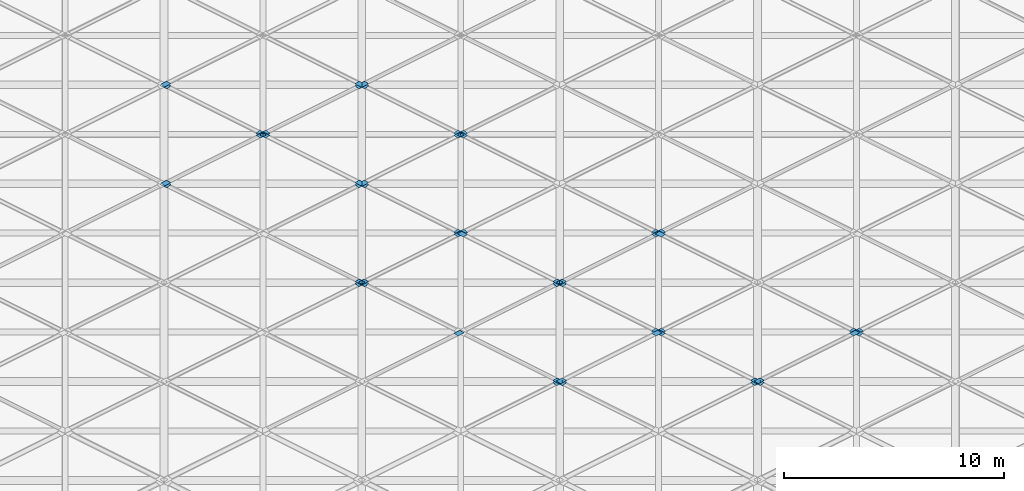
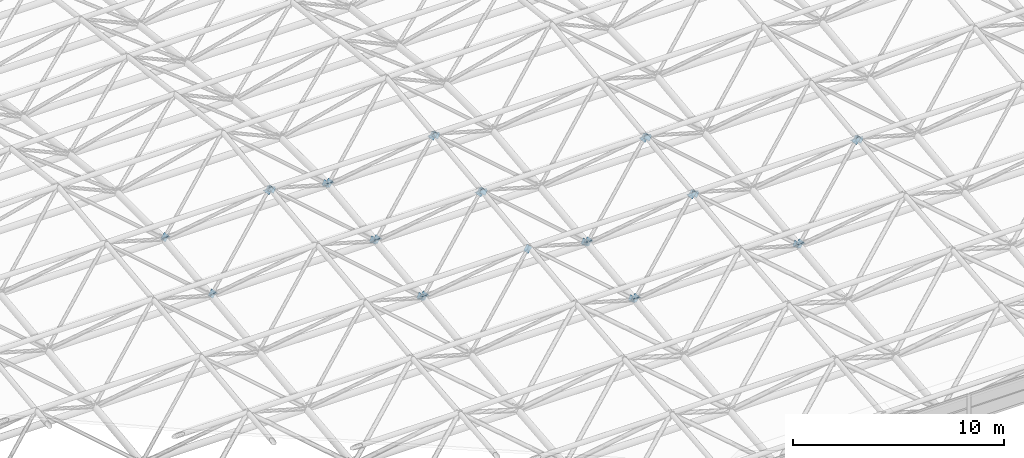
# One storey, part 33 of 53: 53 discrete accessories.
"""IFC4 building model written with IfcOpenShell, lengths in metres."""

from ifc_helpers import new_model, si_unit, direction, frame, origin, place, context, subcontext, project, spatial, polyline, outline, extrude, material, layer, layer_set, type_object, element, save


model = new_model("IFC4")

# Units and contexts
model_context = context("Model", 3, precision=1e-05, world=origin(), true_north=direction((0.0, 1.0)))
body_context = subcontext(model_context, "Body", "Model", "MODEL_VIEW")
ifc_project = project(units=[si_unit("LENGTHUNIT", "METRE"), si_unit("AREAUNIT", "SQUARE_METRE"), si_unit("VOLUMEUNIT", "CUBIC_METRE"), si_unit("PLANEANGLEUNIT", "RADIAN"), si_unit("MASSUNIT", "GRAM", prefix="KILO")], contexts=[model_context])

# Site, building, storey
site_placement = place(None, origin())
site = spatial("IfcSite", under=ifc_project, at=site_placement, CompositionType="ELEMENT")
building_placement = place(site_placement, origin())
building = spatial("IfcBuilding", under=site, at=building_placement, Name="Aravalli Gate Trade Fair Centre", CompositionType="ELEMENT")
storey_placement = place(building_placement, frame((0.0, 0.0, 25.199951171875)))
storey = spatial("IfcBuildingStorey", under=building, at=storey_placement, Name="ROOF LEVEL 2", CompositionType="ELEMENT", Elevation=25.199951171875)

# Discrete accessories
ifc_material = material(Name="Steel E350", Category="steel")
ifc_layer = layer(ifc_material, 0.011962890625)
ifc_layer_set = layer_set([ifc_layer], Name="Steel E350")
discrete_accessory_type = type_object("IfcDiscreteAccessoryType", Name="Gusset plate 291 x 291 x 12", PredefinedType="USERDEFINED", material=ifc_layer_set)
for number, where, z_axis, x_axis, name in (
    (1, (55.181884765625, 61.713134765625, 0.479248046875), (0.000260921892, 0.770886805608, 0.636972106814), (0.786233024012, 0.393446097564, -0.476484837392), "Gusset plate Space frame web diagonal D2A end B"),
    (2, (64.181884765625, 61.713134765625, 0.479248046875), (0.000260921892, 0.770886805608, 0.636972106814), (0.786233024012, 0.393446097564, -0.476484837392), "Gusset plate Space frame web diagonal D2A end B"),
):
    element("IfcDiscreteAccessory", number, at=place(storey_placement, frame(where, z_axis=z_axis, x_axis=x_axis)), inside=storey, type_object=discrete_accessory_type, Name=name, ObjectType="GUSSET PLATE", PredefinedType="USERDEFINED", context=body_context, shape_type="SweptSolid", body=[
        extrude(outline(polyline([(0.0, 0.0), (0.3704496717105797, -1.3877787807814457e-17), (0.37041105616888137, -0.29044341854454775), (-0.00023056696357631745, -0.2902925567125407), (0.0, 0.0)])), origin(), (0.0, 0.0, -1.0), 0.011962890625),
    ])
for number, where, z_axis, x_axis, name in (
    (3, (46.181884765625, 66.213134765625, 1.029052734375), (-6.9765199e-05, 0.771154883137, 0.636647580178), (0.786233023991, 0.393446013556, -0.476484906794), "Gusset plate Space frame web diagonal D2A end B"),
    (4, (55.181884765625, 66.213134765625, 1.029052734375), (-6.9765199e-05, 0.771154883137, 0.636647580178), (0.786233023991, 0.393446013556, -0.476484906794), "Gusset plate Space frame web diagonal D2A end B"),
):
    element("IfcDiscreteAccessory", number, at=place(storey_placement, frame(where, z_axis=z_axis, x_axis=x_axis)), inside=storey, type_object=discrete_accessory_type, Name=name, ObjectType="GUSSET PLATE", PredefinedType="USERDEFINED", context=body_context, shape_type="SweptSolid", body=[
        extrude(outline(polyline([(0.0, 0.0), (0.37044967171058096, -2.7755575615628914e-17), (0.3702947268495056, -0.290591407927876), (-0.0003468962829482891, -0.29044054608337494), (0.0, 0.0)])), origin(), (0.0, 0.0, -1.0), 0.011962890625),
    ])
for number, where, z_axis, x_axis, name in (
    (5, (60.138916015625, 64.191650390625, 3.477294921875), (-6.9765199e-05, 0.771154883137, 0.636647580178), (-0.786484474244, -0.393242254842, 0.476238071536), "Gusset plate Space frame web diagonal D2A end A"),
    (6, (69.138916015625, 64.191650390625, 3.477294921875), (-6.9765199e-05, 0.771154883137, 0.636647580178), (-0.786484474244, -0.393242254842, 0.476238071536), "Gusset plate Space frame web diagonal D2A end A"),
):
    element("IfcDiscreteAccessory", number, at=place(storey_placement, frame(where, z_axis=z_axis, x_axis=x_axis)), inside=storey, type_object=discrete_accessory_type, Name=name, ObjectType="GUSSET PLATE", PredefinedType="USERDEFINED", context=body_context, shape_type="SweptSolid", body=[
        extrude(outline(polyline([(0.0, 0.0), (0.37064165383501635, -1.3877787807814457e-17), (0.3706783195979393, 0.29059144692340316), (0.00022867857401766278, 0.2904406632211646), (0.0, 0.0)])), origin(), (0.0, 0.0, -1.0), 0.011962890625),
    ])
for number, where, z_axis, x_axis, name in (
    (7, (55.638916015625, 61.567626953125, 0.6552734375), (-0.000260921892, 0.770886805608, 0.636972106814), (-0.786484474223, 0.393242170877, -0.476238140902), "Gusset plate Space frame web diagonal D2B end B"),
    (8, (64.638916015625, 61.567626953125, 0.6552734375), (-0.000260921892, 0.770886805608, 0.636972106814), (-0.786484474223, 0.393242170877, -0.476238140902), "Gusset plate Space frame web diagonal D2B end B"),
):
    element("IfcDiscreteAccessory", number, at=place(storey_placement, frame(where, z_axis=z_axis, x_axis=x_axis)), inside=storey, type_object=discrete_accessory_type, Name=name, ObjectType="GUSSET PLATE", PredefinedType="USERDEFINED", context=body_context, shape_type="SweptSolid", body=[
        extrude(outline(polyline([(0.0, 0.0), (0.37064165383501513, 1.3877787807814457e-17), (0.37056205053393565, -0.29044341020294784), (0.00011240951001027788, -0.2902926265131968), (0.0, 0.0)])), origin(), (0.0, 0.0, -1.0), 0.011962890625),
    ])
discrete_accessory_1_placement = place(storey_placement, frame((46.638916015625, 66.067626953125, 1.205322265625), z_axis=(6.9765199e-05, 0.771154883137, 0.636647580178), x_axis=(-0.786484474244, 0.393242254842, -0.476238071536)))
element("IfcDiscreteAccessory", 9, at=discrete_accessory_1_placement, inside=storey, type_object=discrete_accessory_type, Name="Gusset plate Space frame web diagonal D2B end B", ObjectType="GUSSET PLATE", PredefinedType="USERDEFINED", context=body_context, shape_type="SweptSolid", body=[
    extrude(outline(polyline([(0.0, 0.0), (0.37064165383501635, 1.3877787807814457e-17), (0.3706783195979393, -0.29059144692340316), (0.00022867857401766278, -0.2904406632211646), (0.0, 0.0)])), origin(), (0.0, 0.0, -1.0), 0.011962890625),
])
discrete_accessory_2_placement = place(storey_placement, frame((59.681884765625, 64.046142578125, 3.653564453125), z_axis=(6.9765199e-05, 0.771154883137, 0.636647580178), x_axis=(0.786233023991, -0.393446013556, 0.476484906794)))
element("IfcDiscreteAccessory", 10, at=discrete_accessory_2_placement, inside=storey, type_object=discrete_accessory_type, Name="Gusset plate Space frame web diagonal D2B end A", ObjectType="GUSSET PLATE", PredefinedType="USERDEFINED", context=body_context, shape_type="SweptSolid", body=[
    extrude(outline(polyline([(0.0, 0.0), (0.37044967171058096, 2.7755575615628914e-17), (0.3702947268495056, 0.290591407927876), (-0.0003468962829482891, 0.29044054608337494), (0.0, 0.0)])), origin(), (0.0, 0.0, -1.0), 0.011962890625),
])
discrete_accessory_3_placement = place(storey_placement, frame((55.638916015625, 66.067626953125, 1.205322265625), z_axis=(6.9765199e-05, 0.771154883137, 0.636647580178), x_axis=(-0.786484474244, 0.393242254842, -0.476238071536)))
element("IfcDiscreteAccessory", 11, at=discrete_accessory_3_placement, inside=storey, type_object=discrete_accessory_type, Name="Gusset plate Space frame web diagonal D2B end B", ObjectType="GUSSET PLATE", PredefinedType="USERDEFINED", context=body_context, shape_type="SweptSolid", body=[
    extrude(outline(polyline([(0.0, 0.0), (0.37064165383501635, 1.3877787807814457e-17), (0.3706783195979393, -0.29059144692340316), (0.00022867857401766278, -0.2904406632211646), (0.0, 0.0)])), origin(), (0.0, 0.0, -1.0), 0.011962890625),
])
discrete_accessory_4_placement = place(storey_placement, frame((68.681884765625, 64.046142578125, 3.653564453125), z_axis=(6.9765199e-05, 0.771154883137, 0.636647580178), x_axis=(0.786233023991, -0.393446013556, 0.476484906794)))
element("IfcDiscreteAccessory", 12, at=discrete_accessory_4_placement, inside=storey, type_object=discrete_accessory_type, Name="Gusset plate Space frame web diagonal D2B end A", ObjectType="GUSSET PLATE", PredefinedType="USERDEFINED", context=body_context, shape_type="SweptSolid", body=[
    extrude(outline(polyline([(0.0, 0.0), (0.37044967171058096, 2.7755575615628914e-17), (0.3702947268495056, 0.290591407927876), (-0.0003468962829482891, 0.29044054608337494), (0.0, 0.0)])), origin(), (0.0, 0.0, -1.0), 0.011962890625),
])
discrete_accessory_5_placement = place(storey_placement, frame((55.18603515625, 61.792236328125, 0.4970703125), z_axis=(-0.000338926475, -0.824215745649, 0.566275807141), x_axis=(0.749929468437, -0.374811008577, -0.545089442403)))
element("IfcDiscreteAccessory", 13, at=discrete_accessory_5_placement, inside=storey, type_object=discrete_accessory_type, Name="Gusset plate Space frame web diagonal D2C end B", ObjectType="GUSSET PLATE", PredefinedType="USERDEFINED", context=body_context, shape_type="SweptSolid", body=[
    extrude(outline(polyline([(0.0, 0.0), (0.3704775800363668, 1.3877787807814457e-17), (0.37054452148215117, 0.29037536695413646), (0.00011695121776518491, 0.29068780553250784), (0.0, 0.0)])), origin(), (0.0, 0.0, -1.0), 0.011962890625),
])
discrete_accessory_6_placement = place(storey_placement, frame((60.12158203125, 63.824462890625, 3.455078125), z_axis=(-5.9235462e-05, -0.824355565608, 0.566072343383), x_axis=(-0.74910175115, 0.37503400761, 0.546073309694)))
element("IfcDiscreteAccessory", 14, at=discrete_accessory_6_placement, inside=storey, type_object=discrete_accessory_type, Name="Gusset plate Space frame web diagonal D2C end A", ObjectType="GUSSET PLATE", PredefinedType="USERDEFINED", context=body_context, shape_type="SweptSolid", body=[
    extrude(outline(polyline([(0.0, 0.0), (0.37056099002046733, -1.3877787807814457e-17), (0.3708571273038952, -0.29037522366126584), (0.00024656979283793623, -0.29068772448272373), (0.0, 0.0)])), origin(), (0.0, 0.0, -1.0), 0.011962890625),
])
discrete_accessory_7_placement = place(storey_placement, frame((64.18603515625, 61.792236328125, 0.4970703125), z_axis=(-0.000338926475, -0.824215745649, 0.566275807141), x_axis=(0.749929468437, -0.374811008577, -0.545089442403)))
element("IfcDiscreteAccessory", 15, at=discrete_accessory_7_placement, inside=storey, type_object=discrete_accessory_type, Name="Gusset plate Space frame web diagonal D2C end B", ObjectType="GUSSET PLATE", PredefinedType="USERDEFINED", context=body_context, shape_type="SweptSolid", body=[
    extrude(outline(polyline([(0.0, 0.0), (0.3704775800363668, 1.3877787807814457e-17), (0.37054452148215117, 0.29037536695413646), (0.00011695121776518491, 0.29068780553250784), (0.0, 0.0)])), origin(), (0.0, 0.0, -1.0), 0.011962890625),
])
discrete_accessory_8_placement = place(storey_placement, frame((69.12158203125, 63.824462890625, 3.455078125), z_axis=(-5.9235462e-05, -0.824355565608, 0.566072343383), x_axis=(-0.74910175115, 0.37503400761, 0.546073309694)))
element("IfcDiscreteAccessory", 16, at=discrete_accessory_8_placement, inside=storey, type_object=discrete_accessory_type, Name="Gusset plate Space frame web diagonal D2C end A", ObjectType="GUSSET PLATE", PredefinedType="USERDEFINED", context=body_context, shape_type="SweptSolid", body=[
    extrude(outline(polyline([(0.0, 0.0), (0.37056099002046733, -1.3877787807814457e-17), (0.3708571273038952, -0.29037522366126584), (0.00024656979283793623, -0.29068772448272373), (0.0, 0.0)])), origin(), (0.0, 0.0, -1.0), 0.011962890625),
])
discrete_accessory_9_placement = place(storey_placement, frame((46.18603515625, 66.292236328125, 1.047119140625), z_axis=(-0.000356491483, -0.824386555112, 0.566027102411), x_axis=(0.749660046124, -0.374830119882, -0.545446786108)))
element("IfcDiscreteAccessory", 17, at=discrete_accessory_9_placement, inside=storey, type_object=discrete_accessory_type, Name="Gusset plate Space frame web diagonal D2C end B", ObjectType="GUSSET PLATE", PredefinedType="USERDEFINED", context=body_context, shape_type="SweptSolid", body=[
    extrude(outline(polyline([(0.0, 0.0), (0.37061069570280314, 0.0), (0.3704262257769532, 0.2905262593825685), (-1.4474536517566916e-06, 0.29068783726431885), (0.0, 0.0)])), origin(), (0.0, 0.0, -1.0), 0.011962890625),
])
discrete_accessory_10_placement = place(storey_placement, frame((51.12158203125, 68.324462890625, 4.005126953125), z_axis=(-5.9235462e-05, -0.824355565608, 0.566072343383), x_axis=(-0.74937131646, 0.374861397834, 0.545821914622)))
element("IfcDiscreteAccessory", 18, at=discrete_accessory_10_placement, inside=storey, type_object=discrete_accessory_type, Name="Gusset plate Space frame web diagonal D2C end A", ObjectType="GUSSET PLATE", PredefinedType="USERDEFINED", context=body_context, shape_type="SweptSolid", body=[
    extrude(outline(polyline([(0.0, 0.0), (0.3704277020236978, 0.0), (0.37073891027907924, -0.290526143046557), (-5.001029550574798e-06, -0.29053697785674903), (0.0, 0.0)])), origin(), (0.0, 0.0, -1.0), 0.011962890625),
])
discrete_accessory_11_placement = place(storey_placement, frame((55.18603515625, 66.292236328125, 1.047119140625), z_axis=(-0.000356491483, -0.824386555112, 0.566027102411), x_axis=(0.749660046124, -0.374830119882, -0.545446786108)))
element("IfcDiscreteAccessory", 19, at=discrete_accessory_11_placement, inside=storey, type_object=discrete_accessory_type, Name="Gusset plate Space frame web diagonal D2C end B", ObjectType="GUSSET PLATE", PredefinedType="USERDEFINED", context=body_context, shape_type="SweptSolid", body=[
    extrude(outline(polyline([(0.0, 0.0), (0.37061069570280314, 0.0), (0.3704262257769532, 0.2905262593825685), (-1.4474536517566916e-06, 0.29068783726431885), (0.0, 0.0)])), origin(), (0.0, 0.0, -1.0), 0.011962890625),
])
discrete_accessory_12_placement = place(storey_placement, frame((60.12158203125, 68.324462890625, 4.005126953125), z_axis=(-5.9235462e-05, -0.824355565608, 0.566072343383), x_axis=(-0.74937131646, 0.374861397834, 0.545821914622)))
element("IfcDiscreteAccessory", 20, at=discrete_accessory_12_placement, inside=storey, type_object=discrete_accessory_type, Name="Gusset plate Space frame web diagonal D2C end A", ObjectType="GUSSET PLATE", PredefinedType="USERDEFINED", context=body_context, shape_type="SweptSolid", body=[
    extrude(outline(polyline([(0.0, 0.0), (0.3704277020236978, 0.0), (0.37073891027907924, -0.290526143046557), (-5.001029550574798e-06, -0.29053697785674903), (0.0, 0.0)])), origin(), (0.0, 0.0, -1.0), 0.011962890625),
])
for number, where, z_axis, x_axis, name in (
    (21, (50.68603515625, 63.94775390625, 3.634765625), (5.9235462e-05, -0.824355565608, 0.566072343383), (0.749660070237, 0.374676343996, 0.545552395598), "Gusset plate Space frame web diagonal D2D end A"),
    (22, (59.68603515625, 63.94775390625, 3.634765625), (5.9235462e-05, -0.824355565608, 0.566072343383), (0.749660070237, 0.374676343996, 0.545552395598), "Gusset plate Space frame web diagonal D2D end A"),
):
    element("IfcDiscreteAccessory", number, at=place(storey_placement, frame(where, z_axis=z_axis, x_axis=x_axis)), inside=storey, type_object=discrete_accessory_type, Name=name, ObjectType="GUSSET PLATE", PredefinedType="USERDEFINED", context=body_context, shape_type="SweptSolid", body=[
        extrude(outline(polyline([(0.0, 0.0), (0.3706106892622231, -1.3877787807814457e-17), (0.3705593979521325, -0.2903753701380719), (-1.4603348369723879e-06, -0.29068782905287593), (0.0, 0.0)])), origin(), (0.0, 0.0, -1.0), 0.011962890625),
    ])
discrete_accessory_13_placement = place(storey_placement, frame((55.62158203125, 61.91552734375, 0.6767578125), z_axis=(0.000338926475, -0.824215745649, 0.566275807141), x_axis=(-0.74937124219, -0.375168906268, -0.545610697428)))
element("IfcDiscreteAccessory", 23, at=discrete_accessory_13_placement, inside=storey, type_object=discrete_accessory_type, Name="Gusset plate Space frame web diagonal D2D end B", ObjectType="GUSSET PLATE", PredefinedType="USERDEFINED", context=body_context, shape_type="SweptSolid", body=[
    extrude(outline(polyline([(0.0, 0.0), (0.3704277020281311, 2.7755575615628914e-17), (0.37060567875441897, 0.29037532012757467), (0.00012823049953920862, 0.29068780077573153), (0.0, 0.0)])), origin(), (0.0, 0.0, -1.0), 0.011962890625),
])
discrete_accessory_14_placement = place(storey_placement, frame((68.68603515625, 63.94775390625, 3.634765625), z_axis=(5.9235462e-05, -0.824355565608, 0.566072343383), x_axis=(0.749660070237, 0.374676343996, 0.545552395598)))
element("IfcDiscreteAccessory", 24, at=discrete_accessory_14_placement, inside=storey, type_object=discrete_accessory_type, Name="Gusset plate Space frame web diagonal D2D end A", ObjectType="GUSSET PLATE", PredefinedType="USERDEFINED", context=body_context, shape_type="SweptSolid", body=[
    extrude(outline(polyline([(0.0, 0.0), (0.3706106892622231, -1.3877787807814457e-17), (0.3705593979521325, -0.2903753701380719), (-1.4603348369723879e-06, -0.29068782905287593), (0.0, 0.0)])), origin(), (0.0, 0.0, -1.0), 0.011962890625),
])
discrete_accessory_15_placement = place(storey_placement, frame((64.62158203125, 61.91552734375, 0.6767578125), z_axis=(0.000338926475, -0.824215745649, 0.566275807141), x_axis=(-0.74937124219, -0.375168906268, -0.545610697428)))
element("IfcDiscreteAccessory", 25, at=discrete_accessory_15_placement, inside=storey, type_object=discrete_accessory_type, Name="Gusset plate Space frame web diagonal D2D end B", ObjectType="GUSSET PLATE", PredefinedType="USERDEFINED", context=body_context, shape_type="SweptSolid", body=[
    extrude(outline(polyline([(0.0, 0.0), (0.3704277020281311, 2.7755575615628914e-17), (0.37060567875441897, 0.29037532012757467), (0.00012823049953920862, 0.29068780077573153), (0.0, 0.0)])), origin(), (0.0, 0.0, -1.0), 0.011962890625),
])
discrete_accessory_16_placement = place(storey_placement, frame((50.68603515625, 68.44775390625, 4.1845703125), z_axis=(5.9235462e-05, -0.824355565608, 0.566072343383), x_axis=(0.749390667151, 0.374849001628, 0.545803860343)))
element("IfcDiscreteAccessory", 26, at=discrete_accessory_16_placement, inside=storey, type_object=discrete_accessory_type, Name="Gusset plate Space frame web diagonal D2D end A", ObjectType="GUSSET PLATE", PredefinedType="USERDEFINED", context=body_context, shape_type="SweptSolid", body=[
    extrude(outline(polyline([(0.0, 0.0), (0.37074391146695085, 0.0), (0.3704411936966931, -0.2905261520174016), (1.3491831181253189e-05, -0.2905369775865267), (0.0, 0.0)])), origin(), (0.0, 0.0, -1.0), 0.011962890625),
])
discrete_accessory_17_placement = place(storey_placement, frame((46.62158203125, 66.41552734375, 1.226806640625), z_axis=(0.000356491483, -0.824386555112, 0.566027102411), x_axis=(-0.749371292409, -0.375015088164, -0.54571636384)))
element("IfcDiscreteAccessory", 27, at=discrete_accessory_17_placement, inside=storey, type_object=discrete_accessory_type, Name="Gusset plate Space frame web diagonal D2D end B", ObjectType="GUSSET PLATE", PredefinedType="USERDEFINED", context=body_context, shape_type="SweptSolid", body=[
    extrude(outline(polyline([(0.0, 0.0), (0.3704277084701571, 1.3877787807814457e-17), (0.3707389038272042, 0.29052615127976134), (0.00012824338136119273, 0.2906878089792164), (0.0, 0.0)])), origin(), (0.0, 0.0, -1.0), 0.011962890625),
])
discrete_accessory_18_placement = place(storey_placement, frame((59.68603515625, 68.44775390625, 4.1845703125), z_axis=(5.9235462e-05, -0.824355565608, 0.566072343383), x_axis=(0.749390667151, 0.374849001628, 0.545803860343)))
element("IfcDiscreteAccessory", 28, at=discrete_accessory_18_placement, inside=storey, type_object=discrete_accessory_type, Name="Gusset plate Space frame web diagonal D2D end A", ObjectType="GUSSET PLATE", PredefinedType="USERDEFINED", context=body_context, shape_type="SweptSolid", body=[
    extrude(outline(polyline([(0.0, 0.0), (0.37074391146695085, 0.0), (0.3704411936966931, -0.2905261520174016), (1.3491831181253189e-05, -0.2905369775865267), (0.0, 0.0)])), origin(), (0.0, 0.0, -1.0), 0.011962890625),
])
discrete_accessory_19_placement = place(storey_placement, frame((55.62158203125, 66.41552734375, 1.226806640625), z_axis=(0.000356491483, -0.824386555112, 0.566027102411), x_axis=(-0.749371292409, -0.375015088164, -0.54571636384)))
element("IfcDiscreteAccessory", 29, at=discrete_accessory_19_placement, inside=storey, type_object=discrete_accessory_type, Name="Gusset plate Space frame web diagonal D2D end B", ObjectType="GUSSET PLATE", PredefinedType="USERDEFINED", context=body_context, shape_type="SweptSolid", body=[
    extrude(outline(polyline([(0.0, 0.0), (0.3704277084701571, 1.3877787807814457e-17), (0.3707389038272042, 0.29052615127976134), (0.00012824338136119273, 0.2906878089792164), (0.0, 0.0)])), origin(), (0.0, 0.0, -1.0), 0.011962890625),
])
discrete_accessory_20_placement = place(storey_placement, frame((46.181884765625, 70.713134765625, 1.574462890625), z_axis=(0.000589123978, 0.771792295466, 0.635874441689), x_axis=(0.785942550469, 0.392803472142, -0.477493182816)))
element("IfcDiscreteAccessory", 30, at=discrete_accessory_20_placement, inside=storey, type_object=discrete_accessory_type, Name="Gusset plate Space frame web diagonal D3A end B", ObjectType="GUSSET PLATE", PredefinedType="USERDEFINED", context=body_context, shape_type="SweptSolid", body=[
    extrude(outline(polyline([(0.0, 0.0), (0.3705866429803553, -2.7755575615628914e-17), (0.37039124031354775, -0.29046920151748473), (-7.882718272163303e-05, -0.29032116611826925), (0.0, 0.0)])), origin(), (0.0, 0.0, -1.0), 0.011962890625),
])
for number, where, z_axis, x_axis, name in (
    (31, (51.138671875, 68.69140625, 4.027099609375), (0.000259688153, 0.77158167438, 0.636130216483), (-0.786189750281, -0.392961505637, 0.476955901148), "Gusset plate Space frame web diagonal D3A end A"),
    (32, (60.138671875, 68.69140625, 4.027099609375), (0.000259688153, 0.77158167438, 0.636130216483), (-0.786189750281, -0.392961505637, 0.476955901148), "Gusset plate Space frame web diagonal D3A end A"),
    (33, (42.138671875, 73.19140625, 4.567138671875), (0.000259688153, 0.77158167438, 0.636130216483), (-0.786189750281, -0.392961505637, 0.476955901148), "Gusset plate Space frame web diagonal D3A end A"),
):
    element("IfcDiscreteAccessory", number, at=place(storey_placement, frame(where, z_axis=z_axis, x_axis=x_axis)), inside=storey, type_object=discrete_accessory_type, Name=name, ObjectType="GUSSET PLATE", PredefinedType="USERDEFINED", context=body_context, shape_type="SweptSolid", body=[
        extrude(outline(polyline([(0.0, 0.0), (0.37047009323158403, -1.3877787807814457e-17), (0.3706453255393415, 0.29059138113822636), (7.929444017017173e-05, 0.29046925152010133), (0.0, 0.0)])), origin(), (0.0, 0.0, -1.0), 0.011962890625),
    ])
discrete_accessory_21_placement = place(storey_placement, frame((46.181884765625, 75.213134765625, 2.1142578125), z_axis=(0.000259222443, 0.771843687699, 0.635812279342), x_axis=(0.78618965885, 0.392765328311, -0.477117613586)))
element("IfcDiscreteAccessory", 34, at=discrete_accessory_21_placement, inside=storey, type_object=discrete_accessory_type, Name="Gusset plate Space frame web diagonal D3A end B", ObjectType="GUSSET PLATE", PredefinedType="USERDEFINED", context=body_context, shape_type="SweptSolid", body=[
    extrude(outline(polyline([(0.0, 0.0), (0.3704701052045229, -2.7755575615628914e-17), (0.3703907868210381, -0.2904692667840814), (-7.931838348480824e-05, -0.2904692667840814), (0.0, 0.0)])), origin(), (0.0, 0.0, -1.0), 0.011962890625),
])
discrete_accessory_22_placement = place(storey_placement, frame((51.138671875, 73.19140625, 4.567138671875), z_axis=(0.000259688153, 0.77158167438, 0.636130216483), x_axis=(-0.786189750281, -0.392961505637, 0.476955901148)))
element("IfcDiscreteAccessory", 35, at=discrete_accessory_22_placement, inside=storey, type_object=discrete_accessory_type, Name="Gusset plate Space frame web diagonal D3A end A", ObjectType="GUSSET PLATE", PredefinedType="USERDEFINED", context=body_context, shape_type="SweptSolid", body=[
    extrude(outline(polyline([(0.0, 0.0), (0.37047009323158403, -1.3877787807814457e-17), (0.3706453255393415, 0.29059138113822636), (7.929444017017173e-05, 0.29046925152010133), (0.0, 0.0)])), origin(), (0.0, 0.0, -1.0), 0.011962890625),
])
discrete_accessory_23_placement = place(storey_placement, frame((37.638671875, 70.56787109375, 1.75048828125), z_axis=(-0.000589123978, 0.771792295466, 0.635874441689), x_axis=(-0.786189552673, 0.392603629975, -0.477250853324)))
element("IfcDiscreteAccessory", 36, at=discrete_accessory_23_placement, inside=storey, type_object=discrete_accessory_type, Name="Gusset plate Space frame web diagonal D3B end B", ObjectType="GUSSET PLATE", PredefinedType="USERDEFINED", context=body_context, shape_type="SweptSolid", body=[
    extrude(outline(polyline([(0.0, 0.0), (0.3704700970728539, 1.3877787807814457e-17), (0.37054943172141785, -0.29046925640835186), (-3.7181673048419794e-05, -0.2903211744387922), (0.0, 0.0)])), origin(), (0.0, 0.0, -1.0), 0.011962890625),
])
discrete_accessory_24_placement = place(storey_placement, frame((50.681884765625, 68.546142578125, 4.203369140625), z_axis=(-0.000259688153, 0.77158167438, 0.636130216483), x_axis=(0.785986034617, -0.393126352276, 0.477155765483)))
element("IfcDiscreteAccessory", 37, at=discrete_accessory_24_placement, inside=storey, type_object=discrete_accessory_type, Name="Gusset plate Space frame web diagonal D3B end A", ObjectType="GUSSET PLATE", PredefinedType="USERDEFINED", context=body_context, shape_type="SweptSolid", body=[
    extrude(outline(polyline([(0.0, 0.0), (0.3705660512246577, 1.3877787807814457e-17), (0.3702950470274762, 0.2905913076038385), (-0.0001750260838329909, 0.2904692096111498), (0.0, 0.0)])), origin(), (0.0, 0.0, -1.0), 0.011962890625),
])
discrete_accessory_25_placement = place(storey_placement, frame((46.638671875, 70.56787109375, 1.75048828125), z_axis=(-0.000589123978, 0.771792295466, 0.635874441689), x_axis=(-0.786189552673, 0.392603629975, -0.477250853324)))
element("IfcDiscreteAccessory", 38, at=discrete_accessory_25_placement, inside=storey, type_object=discrete_accessory_type, Name="Gusset plate Space frame web diagonal D3B end B", ObjectType="GUSSET PLATE", PredefinedType="USERDEFINED", context=body_context, shape_type="SweptSolid", body=[
    extrude(outline(polyline([(0.0, 0.0), (0.3704700970728539, 1.3877787807814457e-17), (0.37054943172141785, -0.29046925640835186), (-3.7181673048419794e-05, -0.2903211744387922), (0.0, 0.0)])), origin(), (0.0, 0.0, -1.0), 0.011962890625),
])
for number, where, z_axis, x_axis, name in (
    (39, (59.681884765625, 68.546142578125, 4.203369140625), (-0.000259688153, 0.77158167438, 0.636130216483), (0.785986034617, -0.393126352276, 0.477155765483), "Gusset plate Space frame web diagonal D3B end A"),
    (40, (41.681884765625, 73.046142578125, 4.743408203125), (-0.000259688153, 0.77158167438, 0.636130216483), (0.785986034617, -0.393126352276, 0.477155765483), "Gusset plate Space frame web diagonal D3B end A"),
):
    element("IfcDiscreteAccessory", number, at=place(storey_placement, frame(where, z_axis=z_axis, x_axis=x_axis)), inside=storey, type_object=discrete_accessory_type, Name=name, ObjectType="GUSSET PLATE", PredefinedType="USERDEFINED", context=body_context, shape_type="SweptSolid", body=[
        extrude(outline(polyline([(0.0, 0.0), (0.3705660512246577, 1.3877787807814457e-17), (0.3702950470274762, 0.2905913076038385), (-0.0001750260838329909, 0.2904692096111498), (0.0, 0.0)])), origin(), (0.0, 0.0, -1.0), 0.011962890625),
    ])
discrete_accessory_26_placement = place(storey_placement, frame((37.638671875, 75.06787109375, 2.29052734375), z_axis=(-0.000259222443, 0.771843687699, 0.635812279342), x_axis=(-0.78618965885, 0.392765328311, -0.477117613586)))
element("IfcDiscreteAccessory", 41, at=discrete_accessory_26_placement, inside=storey, type_object=discrete_accessory_type, Name="Gusset plate Space frame web diagonal D3B end B", ObjectType="GUSSET PLATE", PredefinedType="USERDEFINED", context=body_context, shape_type="SweptSolid", body=[
    extrude(outline(polyline([(0.0, 0.0), (0.3704701052045229, 2.7755575615628914e-17), (0.3705494235880077, -0.29046926678408136), (7.931838348480824e-05, -0.2904692667840814), (0.0, 0.0)])), origin(), (0.0, 0.0, -1.0), 0.011962890625),
])
discrete_accessory_27_placement = place(storey_placement, frame((50.681884765625, 73.046142578125, 4.743408203125), z_axis=(-0.000259688153, 0.77158167438, 0.636130216483), x_axis=(0.785986034617, -0.393126352276, 0.477155765483)))
element("IfcDiscreteAccessory", 42, at=discrete_accessory_27_placement, inside=storey, type_object=discrete_accessory_type, Name="Gusset plate Space frame web diagonal D3B end A", ObjectType="GUSSET PLATE", PredefinedType="USERDEFINED", context=body_context, shape_type="SweptSolid", body=[
    extrude(outline(polyline([(0.0, 0.0), (0.3705660512246577, 1.3877787807814457e-17), (0.3702950470274762, 0.2905913076038385), (-0.0001750260838329909, 0.2904692096111498), (0.0, 0.0)])), origin(), (0.0, 0.0, -1.0), 0.011962890625),
])
discrete_accessory_28_placement = place(storey_placement, frame((46.638671875, 75.06787109375, 2.29052734375), z_axis=(-0.000259222443, 0.771843687699, 0.635812279342), x_axis=(-0.78618965885, 0.392765328311, -0.477117613586)))
element("IfcDiscreteAccessory", 43, at=discrete_accessory_28_placement, inside=storey, type_object=discrete_accessory_type, Name="Gusset plate Space frame web diagonal D3B end B", ObjectType="GUSSET PLATE", PredefinedType="USERDEFINED", context=body_context, shape_type="SweptSolid", body=[
    extrude(outline(polyline([(0.0, 0.0), (0.3704701052045229, 2.7755575615628914e-17), (0.3705494235880077, -0.29046926678408136), (7.931838348480824e-05, -0.2904692667840814), (0.0, 0.0)])), origin(), (0.0, 0.0, -1.0), 0.011962890625),
])
discrete_accessory_29_placement = place(storey_placement, frame((42.121826171875, 72.824462890625, 4.54541015625), z_axis=(0.000136804439, -0.823750482353, 0.566952488404), x_axis=(-0.749929392198, 0.374964696099, 0.54498383774)))
element("IfcDiscreteAccessory", 44, at=discrete_accessory_29_placement, inside=storey, type_object=discrete_accessory_type, Name="Gusset plate Space frame web diagonal D3C end A", ObjectType="GUSSET PLATE", PredefinedType="USERDEFINED", context=body_context, shape_type="SweptSolid", body=[
    extrude(outline(polyline([(0.0, 0.0), (0.37047758647752815, -1.3877787807814457e-17), (0.37050220203048867, -0.2904791260615137), (2.461555296055795e-05, -0.2904791260615137), (0.0, 0.0)])), origin(), (0.0, 0.0, -1.0), 0.011962890625),
])
discrete_accessory_30_placement = place(storey_placement, frame((46.18603515625, 70.792236328125, 1.592041015625), z_axis=(0.000136804439, -0.823750482353, 0.566952488404), x_axis=(0.749929392198, -0.374964696099, -0.54498383774)))
element("IfcDiscreteAccessory", 45, at=discrete_accessory_30_placement, inside=storey, type_object=discrete_accessory_type, Name="Gusset plate Space frame web diagonal D3C end B", ObjectType="GUSSET PLATE", PredefinedType="USERDEFINED", context=body_context, shape_type="SweptSolid", body=[
    extrude(outline(polyline([(0.0, 0.0), (0.37047758647752815, -1.3877787807814457e-17), (0.37045297092456764, 0.2904791260615137), (-2.461555296055795e-05, 0.2904791260615137), (0.0, 0.0)])), origin(), (0.0, 0.0, -1.0), 0.011962890625),
])
discrete_accessory_31_placement = place(storey_placement, frame((51.121826171875, 72.824462890625, 4.54541015625), z_axis=(0.000136804439, -0.823750482353, 0.566952488404), x_axis=(-0.749929392198, 0.374964696099, 0.54498383774)))
element("IfcDiscreteAccessory", 46, at=discrete_accessory_31_placement, inside=storey, type_object=discrete_accessory_type, Name="Gusset plate Space frame web diagonal D3C end A", ObjectType="GUSSET PLATE", PredefinedType="USERDEFINED", context=body_context, shape_type="SweptSolid", body=[
    extrude(outline(polyline([(0.0, 0.0), (0.37047758647752815, -1.3877787807814457e-17), (0.37050220203048867, -0.2904791260615137), (2.461555296055795e-05, -0.2904791260615137), (0.0, 0.0)])), origin(), (0.0, 0.0, -1.0), 0.011962890625),
])
discrete_accessory_32_placement = place(storey_placement, frame((46.18603515625, 75.292236328125, 2.132080078125), z_axis=(0.000136804439, -0.823750482353, 0.566952488404), x_axis=(0.749929392198, -0.374964696099, -0.54498383774)))
element("IfcDiscreteAccessory", 47, at=discrete_accessory_32_placement, inside=storey, type_object=discrete_accessory_type, Name="Gusset plate Space frame web diagonal D3C end B", ObjectType="GUSSET PLATE", PredefinedType="USERDEFINED", context=body_context, shape_type="SweptSolid", body=[
    extrude(outline(polyline([(0.0, 0.0), (0.37047758647752815, -1.3877787807814457e-17), (0.37045297092456764, 0.2904791260615137), (-2.461555296055795e-05, 0.2904791260615137), (0.0, 0.0)])), origin(), (0.0, 0.0, -1.0), 0.011962890625),
])
discrete_accessory_33_placement = place(storey_placement, frame((41.68603515625, 72.947998046875, 4.724853515625), z_axis=(-0.000136804439, -0.823750482353, 0.566952488404), x_axis=(0.749929392198, 0.374964696099, 0.54498383774)))
element("IfcDiscreteAccessory", 48, at=discrete_accessory_33_placement, inside=storey, type_object=discrete_accessory_type, Name="Gusset plate Space frame web diagonal D3D end A", ObjectType="GUSSET PLATE", PredefinedType="USERDEFINED", context=body_context, shape_type="SweptSolid", body=[
    extrude(outline(polyline([(0.0, 0.0), (0.37047758647752815, 1.3877787807814457e-17), (0.37045297092456764, -0.2904791260615137), (-2.461555296055795e-05, -0.2904791260615137), (0.0, 0.0)])), origin(), (0.0, 0.0, -1.0), 0.011962890625),
])
discrete_accessory_34_placement = place(storey_placement, frame((37.621826171875, 70.915771484375, 1.771484375), z_axis=(-0.000136804439, -0.823750482353, 0.566952488404), x_axis=(-0.749929392198, -0.374964696099, -0.54498383774)))
element("IfcDiscreteAccessory", 49, at=discrete_accessory_34_placement, inside=storey, type_object=discrete_accessory_type, Name="Gusset plate Space frame web diagonal D3D end B", ObjectType="GUSSET PLATE", PredefinedType="USERDEFINED", context=body_context, shape_type="SweptSolid", body=[
    extrude(outline(polyline([(0.0, 0.0), (0.37047758647752815, 1.3877787807814457e-17), (0.37050220203048867, 0.2904791260615137), (2.461555296055795e-05, 0.2904791260615137), (0.0, 0.0)])), origin(), (0.0, 0.0, -1.0), 0.011962890625),
])
discrete_accessory_35_placement = place(storey_placement, frame((50.68603515625, 72.947998046875, 4.724853515625), z_axis=(-0.000136804439, -0.823750482353, 0.566952488404), x_axis=(0.749929392198, 0.374964696099, 0.54498383774)))
element("IfcDiscreteAccessory", 50, at=discrete_accessory_35_placement, inside=storey, type_object=discrete_accessory_type, Name="Gusset plate Space frame web diagonal D3D end A", ObjectType="GUSSET PLATE", PredefinedType="USERDEFINED", context=body_context, shape_type="SweptSolid", body=[
    extrude(outline(polyline([(0.0, 0.0), (0.37047758647752815, 1.3877787807814457e-17), (0.37045297092456764, -0.2904791260615137), (-2.461555296055795e-05, -0.2904791260615137), (0.0, 0.0)])), origin(), (0.0, 0.0, -1.0), 0.011962890625),
])
for number, where, z_axis, x_axis, name in (
    (51, (46.621826171875, 70.915771484375, 1.771484375), (-0.000136804439, -0.823750482353, 0.566952488404), (-0.749929392198, -0.374964696099, -0.54498383774), "Gusset plate Space frame web diagonal D3D end B"),
    (52, (37.621826171875, 75.415771484375, 2.3115234375), (-0.000136804439, -0.823750482353, 0.566952488404), (-0.749929392198, -0.374964696099, -0.54498383774), "Gusset plate Space frame web diagonal D3D end B"),
    (53, (46.621826171875, 75.415771484375, 2.3115234375), (-0.000136804439, -0.823750482353, 0.566952488404), (-0.749929392198, -0.374964696099, -0.54498383774), "Gusset plate Space frame web diagonal D3D end B"),
):
    element("IfcDiscreteAccessory", number, at=place(storey_placement, frame(where, z_axis=z_axis, x_axis=x_axis)), inside=storey, type_object=discrete_accessory_type, Name=name, ObjectType="GUSSET PLATE", PredefinedType="USERDEFINED", context=body_context, shape_type="SweptSolid", body=[
        extrude(outline(polyline([(0.0, 0.0), (0.37047758647752815, 1.3877787807814457e-17), (0.37050220203048867, 0.2904791260615137), (2.461555296055795e-05, 0.2904791260615137), (0.0, 0.0)])), origin(), (0.0, 0.0, -1.0), 0.011962890625),
    ])

save(model, "model.ifc")
